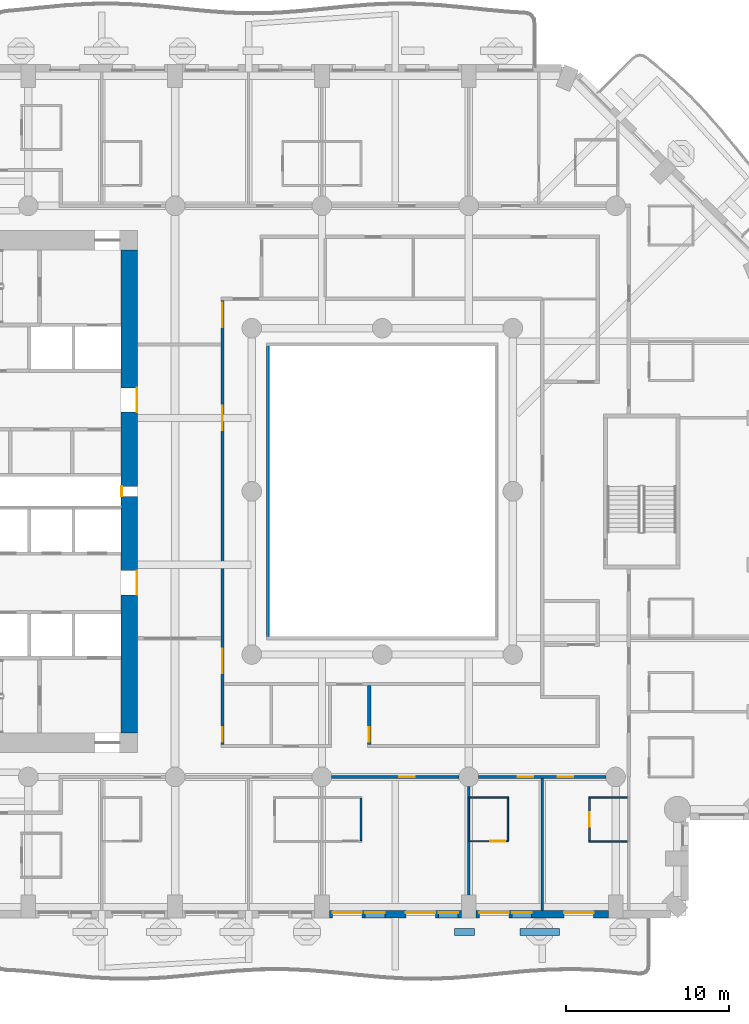
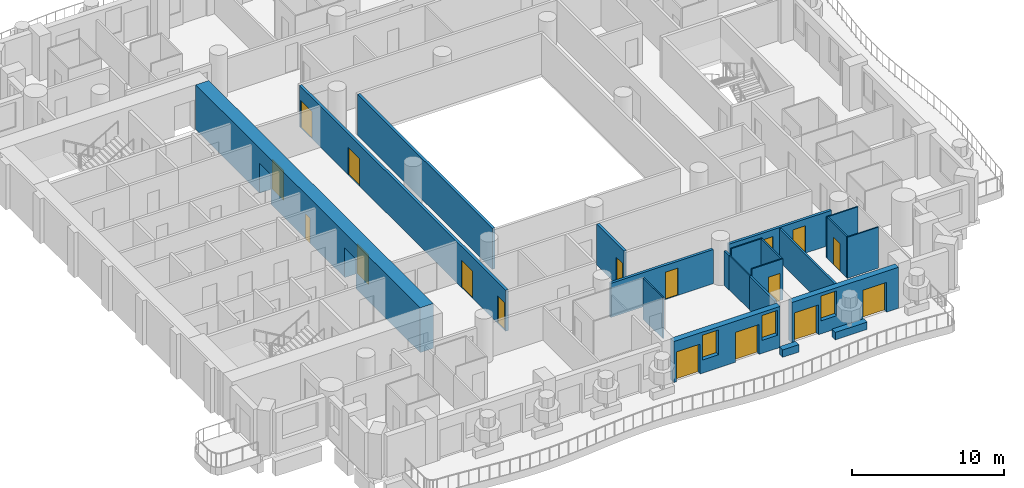
# One storey, part 5 of 20: 21 walls, 17 doors, 3 windows, 20 openings.
"""IFC4 building model written with IfcOpenShell, lengths in metres."""

from ifc_helpers import new_model, si_unit, direction, frame, frame_2d, origin, place, context, subcontext, project, spatial, rectangle, extrude, material, layer, layer_set, type_object, element, fill, save


model = new_model("IFC4")

# Units and contexts
model_context = context("Model", 3, precision=1e-05, world=origin(), true_north=direction((0.0, 1.0)))
body_context = subcontext(model_context, "Body", "Model", "MODEL_VIEW")
ifc_project = project(units=[si_unit("LENGTHUNIT", "METRE"), si_unit("AREAUNIT", "SQUARE_METRE"), si_unit("VOLUMEUNIT", "CUBIC_METRE"), si_unit("PLANEANGLEUNIT", "RADIAN"), si_unit("MASSUNIT", "GRAM", prefix="KILO")], contexts=[model_context])

# Site, building, storey
site_placement = place(None, origin())
site = spatial("IfcSite", under=ifc_project, at=site_placement, CompositionType="ELEMENT")
building_placement = place(site_placement, origin())
building = spatial("IfcBuilding", under=site, at=building_placement, Name="Cypress Arch Tower", CompositionType="ELEMENT")
storey_placement = place(building_placement, frame((0.0, 0.0, 87.89990234375)))
storey = spatial("IfcBuildingStorey", under=building, at=storey_placement, Name="L16", CompositionType="ELEMENT", Elevation=87.89990234375)

# Walls
ifc_material_1 = material(Name="Concrete C40/50, waterproofed", Category="concrete")
ifc_layer_1 = layer(ifc_material_1, 0.449951171875)
ifc_layer_set_1 = layer_set([ifc_layer_1], Name="Balcony planter wall PW450")
wall_type_1 = type_object("IfcWallType", Name="Balcony planter wall PW450", PredefinedType="SOLIDWALL", material=ifc_layer_set_1)
wall_1_placement = place(storey_placement, frame((5.419921875, -27.0, 0.0), z_axis=(0.0, 0.0, 1.0), x_axis=(1.0, 0.0, 0.0)))
element("IfcWall", 1, at=wall_1_placement, inside=storey, type_object=wall_type_1, Name="Balcony planter wall L16-A03.5", PredefinedType="SOLIDWALL", context=body_context, shape_type="SweptSolid", body=[
    extrude(rectangle(XDim=1.22998046875, YDim=0.449951171875, at=frame_2d((0.614990234375, 0.0))), origin(), (0.0, 0.0, 1.0), 0.60009765625),
])
wall_2_placement = place(storey_placement, frame((9.429931640625, -27.0, 0.0), z_axis=(0.0, 0.0, 1.0), x_axis=(1.0, 0.0, 0.0)))
element("IfcWall", 2, at=wall_2_placement, inside=storey, type_object=wall_type_1, Name="Balcony planter wall L16-A03.6", PredefinedType="SOLIDWALL", context=body_context, shape_type="SweptSolid", body=[
    extrude(rectangle(XDim=2.420166015625, YDim=0.449951171875, at=frame_2d((1.2099609375, 0.0))), origin(), (0.0, 0.0, 1.0), 0.60009765625),
])

# Wall, openings, doors, windows
ifc_material_2 = material(Name="Brick (red buff blend)", Category="masonry")
ifc_layer_2 = layer(ifc_material_2, 0.449951171875)
ifc_layer_set_2 = layer_set([ifc_layer_2], Name="Brick pier and spandrel wall BW450")
wall_type_2 = type_object("IfcWallType", Name="Brick pier and spandrel wall BW450", PredefinedType="SOLIDWALL", material=ifc_layer_set_2)
wall_3_placement = place(storey_placement, frame((-2.25, -25.925048828125, 0.0), z_axis=(0.0, 0.0, 1.0), x_axis=(1.0, 0.0, 0.0)))
wall_3 = element("IfcWall", 3, at=wall_3_placement, inside=storey, type_object=wall_type_2, Name="Brick wall L16 A03.3", PredefinedType="SOLIDWALL", context=body_context, shape_type="SweptSolid", body=[
    extrude(rectangle(XDim=8.10009765625, YDim=0.449951171875, at=frame_2d((4.050048828125, 0.0))), origin(), (0.0, 0.0, 1.0), 3.300048828125),
])
opening_1_placement = place(wall_3_placement, frame((0.199951171875, 0.0, 0.0)))
opening_1 = element("IfcOpeningElement", 4, at=opening_1_placement, cuts=wall_3, Name="Opening D-L16-A03.3.1", PredefinedType="OPENING", context=body_context, shape_type="SweptSolid", body=[
    extrude(rectangle(XDim=1.800048828125, YDim=2.39990234375, at=frame_2d((0.89990234375, 1.199951171875))), frame((0.0, 0.23486328125, 0.0), z_axis=(0.0, -1.0, 0.0), x_axis=(1.0, 0.0, 0.0)), (0.0, 0.0, 1.0), 0.469970703125),
])
opening_2_placement = place(wall_3_placement, frame((2.199951171875, 0.0, 1.050048828125)))
opening_2 = element("IfcOpeningElement", 5, at=opening_2_placement, cuts=wall_3, Name="Opening W120HD", PredefinedType="OPENING", context=body_context, shape_type="SweptSolid", body=[
    extrude(rectangle(XDim=1.199951171875, YDim=2.0, at=frame_2d((0.60009765625, 1.0))), frame((0.0, 0.23486328125, 0.0), z_axis=(0.0, -1.0, 0.0), x_axis=(1.0, 0.0, 0.0)), (0.0, 0.0, 1.0), 0.469970703125),
])
opening_3_placement = place(wall_3_placement, frame((4.699951171875, 0.0, 0.0)))
opening_3 = element("IfcOpeningElement", 6, at=opening_3_placement, cuts=wall_3, Name="Opening D-L16-A03.3.2", PredefinedType="OPENING", context=body_context, shape_type="SweptSolid", body=[
    extrude(rectangle(XDim=1.800048828125, YDim=2.39990234375, at=frame_2d((0.89990234375, 1.199951171875))), frame((0.0, 0.23486328125, 0.0), z_axis=(0.0, -1.0, 0.0), x_axis=(1.0, 0.0, 0.0)), (0.0, 0.0, 1.0), 0.469970703125),
])
opening_4_placement = place(wall_3_placement, frame((6.699951171875, 0.0, 1.050048828125)))
opening_4 = element("IfcOpeningElement", 7, at=opening_4_placement, cuts=wall_3, Name="Opening W120HD", PredefinedType="OPENING", context=body_context, shape_type="SweptSolid", body=[
    extrude(rectangle(XDim=1.199951171875, YDim=2.0, at=frame_2d((0.60009765625, 1.0))), frame((0.0, 0.23486328125, 0.0), z_axis=(0.0, -1.0, 0.0), x_axis=(1.0, 0.0, 0.0)), (0.0, 0.0, 1.0), 0.469970703125),
])
ifc_material_3 = material(Name="Anodised aluminium, bronze finish, laminated low-emissivity double glazing, large-missile impact rated", Category="aluminium")
door_type_1 = type_object("IfcDoorType", Name="Balcony sliding door 1800x2400", OperationType="SLIDING_TO_LEFT", PredefinedType="DOOR", material=ifc_material_3)
door_1_placement = place(opening_1_placement, origin())
door_1 = element("IfcDoor", 8, at=door_1_placement, inside=storey, type_object=door_type_1, Name="Balcony door L16 A03.3.1", OperationType="SLIDING_TO_LEFT", OverallHeight=2.39990234375, OverallWidth=1.800048828125, PredefinedType="DOOR", context=body_context, shape_type="SweptSolid", body=[
    extrude(rectangle(XDim=1.800048828125, YDim=2.39990234375, at=frame_2d((0.89990234375, 1.199951171875))), frame((0.0, 0.1298828125, 0.0), z_axis=(0.0, -1.0, 0.0), x_axis=(1.0, 0.0, 0.0)), (0.0, 0.0, 1.0), 0.050048828125),
])
fill(opening_1, door_1)
door_2_placement = place(opening_3_placement, origin())
door_2 = element("IfcDoor", 9, at=door_2_placement, inside=storey, type_object=door_type_1, Name="Balcony door L16 A03.3.2", OperationType="SLIDING_TO_LEFT", OverallHeight=2.39990234375, OverallWidth=1.800048828125, PredefinedType="DOOR", context=body_context, shape_type="SweptSolid", body=[
    extrude(rectangle(XDim=1.800048828125, YDim=2.39990234375, at=frame_2d((0.89990234375, 1.199951171875))), frame((0.0, 0.1298828125, 0.0), z_axis=(0.0, -1.0, 0.0), x_axis=(1.0, 0.0, 0.0)), (0.0, 0.0, 1.0), 0.050048828125),
])
fill(opening_3, door_2)
ifc_material_4 = material(Name="Anodised aluminium, bronze finish, laminated low-emissivity double glazing, large-missile impact rated", Category="aluminium")
window_type = type_object("IfcWindowType", Name="Window Hotel 1200x2000 debris-rated", PartitioningType="SINGLE_PANEL", PredefinedType="WINDOW", material=ifc_material_4)
window_1_placement = place(opening_2_placement, origin())
window_1 = element("IfcWindow", 10, at=window_1_placement, inside=storey, type_object=window_type, Name="Window L16 A03.3.1", OverallHeight=2.0, OverallWidth=1.199951171875, PartitioningType="SINGLE_PANEL", PredefinedType="WINDOW", context=body_context, shape_type="SweptSolid", body=[
    extrude(rectangle(XDim=1.199951171875, YDim=2.0, at=frame_2d((0.60009765625, 1.0))), frame((0.0, 0.135009765625, 0.0), z_axis=(0.0, -1.0, 0.0), x_axis=(1.0, 0.0, 0.0)), (0.0, 0.0, 1.0), 0.06005859375),
])
fill(opening_2, window_1)
window_2_placement = place(opening_4_placement, origin())
window_2 = element("IfcWindow", 11, at=window_2_placement, inside=storey, type_object=window_type, Name="Window L16 A03.3.2", OverallHeight=2.0, OverallWidth=1.199951171875, PartitioningType="SINGLE_PANEL", PredefinedType="WINDOW", context=body_context, shape_type="SweptSolid", body=[
    extrude(rectangle(XDim=1.199951171875, YDim=2.0, at=frame_2d((0.60009765625, 1.0))), frame((0.0, 0.135009765625, 0.0), z_axis=(0.0, -1.0, 0.0), x_axis=(1.0, 0.0, 0.0)), (0.0, 0.0, 1.0), 0.06005859375),
])
fill(opening_4, window_2)

# Wall, openings, doors, window
wall_4_placement = place(storey_placement, frame((6.75, -25.925048828125, 0.0), z_axis=(0.0, 0.0, 1.0), x_axis=(1.0, 0.0, 0.0)))
wall_4 = element("IfcWall", 12, at=wall_4_placement, inside=storey, type_object=wall_type_2, Name="Brick wall L16 A03.4", PredefinedType="SOLIDWALL", context=body_context, shape_type="SweptSolid", body=[
    extrude(rectangle(XDim=8.10009765625, YDim=0.449951171875, at=frame_2d((4.050048828125, 0.0))), origin(), (0.0, 0.0, 1.0), 3.300048828125),
])
opening_5_placement = place(wall_4_placement, frame((0.199951171875, 0.0, 0.0)))
opening_5 = element("IfcOpeningElement", 13, at=opening_5_placement, cuts=wall_4, Name="Opening D-L16-A03.4.1", PredefinedType="OPENING", context=body_context, shape_type="SweptSolid", body=[
    extrude(rectangle(XDim=1.800048828125, YDim=2.39990234375, at=frame_2d((0.89990234375, 1.199951171875))), frame((0.0, 0.23486328125, 0.0), z_axis=(0.0, -1.0, 0.0), x_axis=(1.0, 0.0, 0.0)), (0.0, 0.0, 1.0), 0.469970703125),
])
opening_6_placement = place(wall_4_placement, frame((2.199951171875, 0.0, 1.050048828125)))
opening_6 = element("IfcOpeningElement", 14, at=opening_6_placement, cuts=wall_4, Name="Opening W120HD", PredefinedType="OPENING", context=body_context, shape_type="SweptSolid", body=[
    extrude(rectangle(XDim=1.199951171875, YDim=2.0, at=frame_2d((0.60009765625, 1.0))), frame((0.0, 0.23486328125, 0.0), z_axis=(0.0, -1.0, 0.0), x_axis=(1.0, 0.0, 0.0)), (0.0, 0.0, 1.0), 0.469970703125),
])
opening_7_placement = place(wall_4_placement, frame((5.39990234375, 0.0, 0.0)))
opening_7 = element("IfcOpeningElement", 15, at=opening_7_placement, cuts=wall_4, Name="Opening D-L16-A03.4.2", PredefinedType="OPENING", context=body_context, shape_type="SweptSolid", body=[
    extrude(rectangle(XDim=1.800048828125, YDim=2.39990234375, at=frame_2d((0.89990234375, 1.199951171875))), frame((0.0, 0.23486328125, 0.0), z_axis=(0.0, -1.0, 0.0), x_axis=(1.0, 0.0, 0.0)), (0.0, 0.0, 1.0), 0.469970703125),
])
door_3_placement = place(opening_5_placement, origin())
door_3 = element("IfcDoor", 16, at=door_3_placement, inside=storey, type_object=door_type_1, Name="Balcony door L16 A03.4.1", OperationType="SLIDING_TO_LEFT", OverallHeight=2.39990234375, OverallWidth=1.800048828125, PredefinedType="DOOR", context=body_context, shape_type="SweptSolid", body=[
    extrude(rectangle(XDim=1.800048828125, YDim=2.39990234375, at=frame_2d((0.89990234375, 1.199951171875))), frame((0.0, 0.1298828125, 0.0), z_axis=(0.0, -1.0, 0.0), x_axis=(1.0, 0.0, 0.0)), (0.0, 0.0, 1.0), 0.050048828125),
])
fill(opening_5, door_3)
door_4_placement = place(opening_7_placement, origin())
door_4 = element("IfcDoor", 17, at=door_4_placement, inside=storey, type_object=door_type_1, Name="Balcony door L16 A03.4.2", OperationType="SLIDING_TO_LEFT", OverallHeight=2.39990234375, OverallWidth=1.800048828125, PredefinedType="DOOR", context=body_context, shape_type="SweptSolid", body=[
    extrude(rectangle(XDim=1.800048828125, YDim=2.39990234375, at=frame_2d((0.89990234375, 1.199951171875))), frame((0.0, 0.1298828125, 0.0), z_axis=(0.0, -1.0, 0.0), x_axis=(1.0, 0.0, 0.0)), (0.0, 0.0, 1.0), 0.050048828125),
])
fill(opening_7, door_4)
window_3_placement = place(opening_6_placement, origin())
window_3 = element("IfcWindow", 18, at=window_3_placement, inside=storey, type_object=window_type, Name="Window L16 A03.4.1", OverallHeight=2.0, OverallWidth=1.199951171875, PartitioningType="SINGLE_PANEL", PredefinedType="WINDOW", context=body_context, shape_type="SweptSolid", body=[
    extrude(rectangle(XDim=1.199951171875, YDim=2.0, at=frame_2d((0.60009765625, 1.0))), frame((0.0, 0.135009765625, 0.0), z_axis=(0.0, -1.0, 0.0), x_axis=(1.0, 0.0, 0.0)), (0.0, 0.0, 1.0), 0.06005859375),
])
fill(opening_6, window_3)

# Wall, openings, doors
ifc_material_5 = material(Name="Concrete C80/95", Category="concrete")
ifc_layer_3 = layer(ifc_material_5, 1.0)
ifc_layer_set_3 = layer_set([ifc_layer_3], Name="Core wall CW1000 C80/95")
wall_type_3 = type_object("IfcWallType", Name="Core wall CW1000 C80/95", PredefinedType="SHEAR", material=ifc_layer_set_3)
wall_5_placement = place(storey_placement, frame((-14.5, -14.800048828125, 0.0), z_axis=(0.0, 0.0, 1.0), x_axis=(0.0, 1.0, 0.0)))
wall_5 = element("IfcWall", 19, at=wall_5_placement, inside=storey, type_object=wall_type_3, Name="Core wall", PredefinedType="SHEAR", context=body_context, shape_type="SweptSolid", body=[
    extrude(rectangle(XDim=29.60009765625, YDim=1.0, at=frame_2d((14.800048828125, 0.0))), origin(), (0.0, 0.0, 1.0), 3.60009765625),
])
opening_8_placement = place(wall_5_placement, frame((8.449951171875, 0.0, 0.0)))
opening_8 = element("IfcOpeningElement", 20, at=opening_8_placement, cuts=wall_5, Name="Opening D07", PredefinedType="OPENING", context=body_context, shape_type="SweptSolid", body=[
    extrude(rectangle(XDim=1.5, YDim=2.39990234375, at=frame_2d((0.75, 1.199951171875))), frame((0.0, 0.510009765625, 0.0), z_axis=(0.0, -1.0, 0.0), x_axis=(1.0, 0.0, 0.0)), (0.0, 0.0, 1.0), 1.02001953125),
])
opening_9_placement = place(wall_5_placement, frame((19.64990234375, 0.0, 0.0)))
opening_9 = element("IfcOpeningElement", 21, at=opening_9_placement, cuts=wall_5, Name="Opening D07", PredefinedType="OPENING", context=body_context, shape_type="SweptSolid", body=[
    extrude(rectangle(XDim=1.5, YDim=2.39990234375, at=frame_2d((0.75, 1.199951171875))), frame((0.0, 0.510009765625, 0.0), z_axis=(0.0, -1.0, 0.0), x_axis=(1.0, 0.0, 0.0)), (0.0, 0.0, 1.0), 1.02001953125),
])
opening_10_placement = place(wall_5_placement, frame((14.5, 0.0, 0.0)))
opening_10 = element("IfcOpeningElement", 22, at=opening_10_placement, cuts=wall_5, Name="Opening D08", PredefinedType="OPENING", context=body_context, shape_type="SweptSolid", body=[
    extrude(rectangle(XDim=0.60009765625, YDim=2.0, at=frame_2d((0.300048828125, 1.0))), frame((0.0, 0.510009765625, 0.0), z_axis=(0.0, -1.0, 0.0), x_axis=(1.0, 0.0, 0.0)), (0.0, 0.0, 1.0), 1.02001953125),
])
ifc_material_6 = material(Name="Steel framed glazed door, fire resisting", Category="steel")
door_type_2 = type_object("IfcDoorType", Name="Lobby door D07 1500x2400", OperationType="DOUBLE_DOOR_SINGLE_SWING", PredefinedType="DOOR", material=ifc_material_6)
door_5_placement = place(opening_8_placement, origin())
door_5 = element("IfcDoor", 23, at=door_5_placement, inside=storey, type_object=door_type_2, Name="Lobby door", OperationType="DOUBLE_DOOR_SINGLE_SWING", OverallHeight=2.39990234375, OverallWidth=1.5, PredefinedType="DOOR", context=body_context, shape_type="SweptSolid", body=[
    extrude(rectangle(XDim=1.5, YDim=2.39990234375, at=frame_2d((0.75, 1.199951171875))), frame((0.0, -0.44482421875, 0.0), z_axis=(0.0, -1.0, 0.0), x_axis=(1.0, 0.0, 0.0)), (0.0, 0.0, 1.0), 0.050048828125),
])
fill(opening_8, door_5)
door_6_placement = place(opening_9_placement, origin())
door_6 = element("IfcDoor", 24, at=door_6_placement, inside=storey, type_object=door_type_2, Name="Lobby door", OperationType="DOUBLE_DOOR_SINGLE_SWING", OverallHeight=2.39990234375, OverallWidth=1.5, PredefinedType="DOOR", context=body_context, shape_type="SweptSolid", body=[
    extrude(rectangle(XDim=1.5, YDim=2.39990234375, at=frame_2d((0.75, 1.199951171875))), frame((0.0, -0.44482421875, 0.0), z_axis=(0.0, -1.0, 0.0), x_axis=(1.0, 0.0, 0.0)), (0.0, 0.0, 1.0), 0.050048828125),
])
fill(opening_9, door_6)
ifc_material_7 = material(Name="Steel access door, fire resisting", Category="steel")
door_type_3 = type_object("IfcDoorType", Name="Riser access door D08 600x2000", OperationType="SINGLE_SWING_LEFT", PredefinedType="DOOR", material=ifc_material_7)
door_7_placement = place(opening_10_placement, origin())
door_7 = element("IfcDoor", 25, at=door_7_placement, inside=storey, type_object=door_type_3, Name="Riser access door", OperationType="SINGLE_SWING_RIGHT", OverallHeight=2.0, OverallWidth=0.60009765625, PredefinedType="DOOR", context=body_context, shape_type="SweptSolid", body=[
    extrude(rectangle(XDim=0.60009765625, YDim=2.0, at=frame_2d((0.300048828125, 1.0))), frame((0.0, 0.4951171875, 0.0), z_axis=(0.0, -1.0, 0.0), x_axis=(1.0, 0.0, 0.0)), (0.0, 0.0, 1.0), 0.050048828125),
])
fill(opening_10, door_7)

# Wall, opening, door
ifc_material_8 = material(Name="Concrete blockwork, plastered, rated", Category="masonry")
ifc_layer_4 = layer(ifc_material_8, 0.199951171875)
ifc_layer_set_4 = layer_set([ifc_layer_4], Name="Corridor wall FW200")
wall_type_4 = type_object("IfcWallType", Name="Corridor wall FW200", PredefinedType="PARTITIONING", material=ifc_layer_set_4)
wall_6_placement = place(storey_placement, frame((-2.10009765625, -17.5, 0.0), z_axis=(0.0, 0.0, 1.0), x_axis=(1.0, 0.0, 0.0)))
wall_6 = element("IfcWall", 26, at=wall_6_placement, inside=storey, type_object=wall_type_4, Name="Corridor wall", PredefinedType="PARTITIONING", context=body_context, shape_type="SweptSolid", body=[
    extrude(rectangle(XDim=7.800048828125, YDim=0.199951171875, at=frame_2d((3.89990234375, 0.0))), origin(), (0.0, 0.0, 1.0), 2.75),
])
opening_11_placement = place(wall_6_placement, frame((4.14990234375, 0.0, 0.0)))
opening_11 = element("IfcOpeningElement", 27, at=opening_11_placement, cuts=wall_6, Name="Opening D02", PredefinedType="OPENING", context=body_context, shape_type="SweptSolid", body=[
    extrude(rectangle(XDim=0.949951171875, YDim=2.199951171875, at=frame_2d((0.47509765625, 1.10009765625))), frame((0.0, 0.10986328125, 0.0), z_axis=(0.0, -1.0, 0.0), x_axis=(1.0, 0.0, 0.0)), (0.0, 0.0, 1.0), 0.219970703125),
])
ifc_material_9 = material(Name="Timber flush door, fire resisting", Category="wood")
door_type_4 = type_object("IfcDoorType", Name="Room door D02 950x2200", OperationType="SINGLE_SWING_LEFT", PredefinedType="DOOR", material=ifc_material_9)
door_8_placement = place(opening_11_placement, origin())
door_8 = element("IfcDoor", 28, at=door_8_placement, inside=storey, type_object=door_type_4, Name="Room door", OperationType="SINGLE_SWING_LEFT", OverallHeight=2.199951171875, OverallWidth=0.949951171875, PredefinedType="DOOR", context=body_context, shape_type="SweptSolid", body=[
    extrude(rectangle(XDim=0.949951171875, YDim=2.199951171875, at=frame_2d((0.47509765625, 1.10009765625))), frame((0.0, 0.02490234375, 0.0), z_axis=(0.0, -1.0, 0.0), x_axis=(1.0, 0.0, 0.0)), (0.0, 0.0, 1.0), 0.050048828125),
])
fill(opening_11, door_8)

# Wall, openings, doors
wall_7_placement = place(storey_placement, frame((6.89990234375, -17.5, 0.0), z_axis=(0.0, 0.0, 1.0), x_axis=(1.0, 0.0, 0.0)))
wall_7 = element("IfcWall", 29, at=wall_7_placement, inside=storey, type_object=wall_type_4, Name="Corridor wall", PredefinedType="PARTITIONING", context=body_context, shape_type="SweptSolid", body=[
    extrude(rectangle(XDim=7.800048828125, YDim=0.199951171875, at=frame_2d((3.89990234375, 0.0))), origin(), (0.0, 0.0, 1.0), 2.75),
])
opening_12_placement = place(wall_7_placement, frame((2.39990234375, 0.0, 0.0)))
opening_12 = element("IfcOpeningElement", 30, at=opening_12_placement, cuts=wall_7, Name="Opening D02", PredefinedType="OPENING", context=body_context, shape_type="SweptSolid", body=[
    extrude(rectangle(XDim=0.949951171875, YDim=2.199951171875, at=frame_2d((0.47509765625, 1.10009765625))), frame((0.0, 0.10986328125, 0.0), z_axis=(0.0, -1.0, 0.0), x_axis=(1.0, 0.0, 0.0)), (0.0, 0.0, 1.0), 0.219970703125),
])
opening_13_placement = place(wall_7_placement, frame((4.85009765625, 0.0, 0.0)))
opening_13 = element("IfcOpeningElement", 31, at=opening_13_placement, cuts=wall_7, Name="Opening D02", PredefinedType="OPENING", context=body_context, shape_type="SweptSolid", body=[
    extrude(rectangle(XDim=0.949951171875, YDim=2.199951171875, at=frame_2d((0.47509765625, 1.10009765625))), frame((0.0, 0.10986328125, 0.0), z_axis=(0.0, -1.0, 0.0), x_axis=(1.0, 0.0, 0.0)), (0.0, 0.0, 1.0), 0.219970703125),
])
door_9_placement = place(opening_12_placement, origin())
door_9 = element("IfcDoor", 32, at=door_9_placement, inside=storey, type_object=door_type_4, Name="Room door", OperationType="SINGLE_SWING_LEFT", OverallHeight=2.199951171875, OverallWidth=0.949951171875, PredefinedType="DOOR", context=body_context, shape_type="SweptSolid", body=[
    extrude(rectangle(XDim=0.949951171875, YDim=2.199951171875, at=frame_2d((0.47509765625, 1.10009765625))), frame((0.0, 0.02490234375, 0.0), z_axis=(0.0, -1.0, 0.0), x_axis=(1.0, 0.0, 0.0)), (0.0, 0.0, 1.0), 0.050048828125),
])
fill(opening_12, door_9)
door_10_placement = place(opening_13_placement, origin())
door_10 = element("IfcDoor", 33, at=door_10_placement, inside=storey, type_object=door_type_4, Name="Room door", OperationType="SINGLE_SWING_RIGHT", OverallHeight=2.199951171875, OverallWidth=0.949951171875, PredefinedType="DOOR", context=body_context, shape_type="SweptSolid", body=[
    extrude(rectangle(XDim=0.949951171875, YDim=2.199951171875, at=frame_2d((0.47509765625, 1.10009765625))), frame((0.0, 0.02490234375, 0.0), z_axis=(0.0, -1.0, 0.0), x_axis=(1.0, 0.0, 0.0)), (0.0, 0.0, 1.0), 0.050048828125),
])
fill(opening_13, door_10)

wall_8_placement = place(storey_placement, frame((-8.800048828125, -15.5, 0.0), z_axis=(0.0, 0.0, 1.0), x_axis=(0.0, 1.0, 0.0)))
wall_8 = element("IfcWall", 34, at=wall_8_placement, inside=storey, type_object=wall_type_4, Name="Corridor wall", PredefinedType="PARTITIONING", context=body_context, shape_type="SweptSolid", body=[
    extrude(rectangle(XDim=27.199951171875, YDim=0.199951171875, at=frame_2d((13.60009765625, 0.0))), origin(), (0.0, 0.0, 1.0), 3.300048828125),
])
opening_14_placement = place(wall_8_placement, frame((19.25, 0.0, 0.0)))
opening_14 = element("IfcOpeningElement", 35, at=opening_14_placement, cuts=wall_8, Name="Opening D04", PredefinedType="OPENING", context=body_context, shape_type="SweptSolid", body=[
    extrude(rectangle(XDim=1.5, YDim=2.199951171875, at=frame_2d((0.75, 1.10009765625))), frame((0.0, 0.10986328125, 0.0), z_axis=(0.0, -1.0, 0.0), x_axis=(1.0, 0.0, 0.0)), (0.0, 0.0, 1.0), 0.219970703125),
])
opening_15_placement = place(wall_8_placement, frame((4.35009765625, 0.0, 0.0)))
opening_15 = element("IfcOpeningElement", 36, at=opening_15_placement, cuts=wall_8, Name="Opening D04", PredefinedType="OPENING", context=body_context, shape_type="SweptSolid", body=[
    extrude(rectangle(XDim=1.5, YDim=2.199951171875, at=frame_2d((0.75, 1.10009765625))), frame((0.0, 0.10986328125, 0.0), z_axis=(0.0, -1.0, 0.0), x_axis=(1.0, 0.0, 0.0)), (0.0, 0.0, 1.0), 0.219970703125),
])
opening_16_placement = place(wall_8_placement, frame((25.550048828125, 0.0, 0.0)))
opening_16 = element("IfcOpeningElement", 37, at=opening_16_placement, cuts=wall_8, Name="Opening D04", PredefinedType="OPENING", context=body_context, shape_type="SweptSolid", body=[
    extrude(rectangle(XDim=1.5, YDim=2.199951171875, at=frame_2d((0.75, 1.10009765625))), frame((0.0, 0.10986328125, 0.0), z_axis=(0.0, -1.0, 0.0), x_axis=(1.0, 0.0, 0.0)), (0.0, 0.0, 1.0), 0.219970703125),
])
opening_17_placement = place(wall_8_placement, frame((0.14990234375, 0.0, 0.0)))
opening_17 = element("IfcOpeningElement", 38, at=opening_17_placement, cuts=wall_8, Name="Opening D05", PredefinedType="OPENING", context=body_context, shape_type="SweptSolid", body=[
    extrude(rectangle(XDim=0.89990234375, YDim=2.199951171875, at=frame_2d((0.449951171875, 1.10009765625))), frame((0.0, 0.10986328125, 0.0), z_axis=(0.0, -1.0, 0.0), x_axis=(1.0, 0.0, 0.0)), (0.0, 0.0, 1.0), 0.219970703125),
])
ifc_material_10 = material(Name="Timber double door", Category="wood")
door_type_5 = type_object("IfcDoorType", Name="Double door D04 1500x2200", OperationType="DOUBLE_DOOR_SINGLE_SWING", PredefinedType="DOOR", material=ifc_material_10)
door_11_placement = place(opening_14_placement, origin())
door_11 = element("IfcDoor", 39, at=door_11_placement, inside=storey, type_object=door_type_5, Name="Double door", OperationType="DOUBLE_DOOR_SINGLE_SWING", OverallHeight=2.199951171875, OverallWidth=1.5, PredefinedType="DOOR", context=body_context, shape_type="SweptSolid", body=[
    extrude(rectangle(XDim=1.5, YDim=2.199951171875, at=frame_2d((0.75, 1.10009765625))), frame((0.0, 0.02490234375, 0.0), z_axis=(0.0, -1.0, 0.0), x_axis=(1.0, 0.0, 0.0)), (0.0, 0.0, 1.0), 0.050048828125),
])
fill(opening_14, door_11)
door_12_placement = place(opening_15_placement, origin())
door_12 = element("IfcDoor", 40, at=door_12_placement, inside=storey, type_object=door_type_5, Name="Double door", OperationType="DOUBLE_DOOR_SINGLE_SWING", OverallHeight=2.199951171875, OverallWidth=1.5, PredefinedType="DOOR", context=body_context, shape_type="SweptSolid", body=[
    extrude(rectangle(XDim=1.5, YDim=2.199951171875, at=frame_2d((0.75, 1.10009765625))), frame((0.0, 0.02490234375, 0.0), z_axis=(0.0, -1.0, 0.0), x_axis=(1.0, 0.0, 0.0)), (0.0, 0.0, 1.0), 0.050048828125),
])
fill(opening_15, door_12)
door_13_placement = place(opening_16_placement, origin())
door_13 = element("IfcDoor", 41, at=door_13_placement, inside=storey, type_object=door_type_5, Name="Double door", OperationType="DOUBLE_DOOR_SINGLE_SWING", OverallHeight=2.199951171875, OverallWidth=1.5, PredefinedType="DOOR", context=body_context, shape_type="SweptSolid", body=[
    extrude(rectangle(XDim=1.5, YDim=2.199951171875, at=frame_2d((0.75, 1.10009765625))), frame((0.0, 0.02490234375, 0.0), z_axis=(0.0, -1.0, 0.0), x_axis=(1.0, 0.0, 0.0)), (0.0, 0.0, 1.0), 0.050048828125),
])
fill(opening_16, door_13)
ifc_material_11 = material(Name="Timber flush door", Category="wood")
door_type_6 = type_object("IfcDoorType", Name="Service door D05 900x2200", OperationType="SINGLE_SWING_LEFT", PredefinedType="DOOR", material=ifc_material_11)
door_14_placement = place(opening_17_placement, origin())
door_14 = element("IfcDoor", 42, at=door_14_placement, inside=storey, type_object=door_type_6, Name="Service door", OperationType="SINGLE_SWING_RIGHT", OverallHeight=2.199951171875, OverallWidth=0.89990234375, PredefinedType="DOOR", context=body_context, shape_type="SweptSolid", body=[
    extrude(rectangle(XDim=0.89990234375, YDim=2.199951171875, at=frame_2d((0.449951171875, 1.10009765625))), frame((0.0, 0.02490234375, 0.0), z_axis=(0.0, -1.0, 0.0), x_axis=(1.0, 0.0, 0.0)), (0.0, 0.0, 1.0), 0.050048828125),
])
fill(opening_17, door_14)

# Wall
wall_9_placement = place(storey_placement, frame((-6.0, -8.89990234375, 0.0), z_axis=(0.0, 0.0, 1.0), x_axis=(0.0, 1.0, 0.0)))
element("IfcWall", 43, at=wall_9_placement, inside=storey, type_object=wall_type_4, Name="Corridor wall", PredefinedType="PARTITIONING", context=body_context, shape_type="SweptSolid", body=[
    extrude(rectangle(XDim=17.7998046875, YDim=0.199951171875, at=frame_2d((8.89990234375, 0.0))), origin(), (0.0, 0.0, 1.0), 3.300048828125),
])

# Wall, opening, door
wall_10_placement = place(storey_placement, frame((0.199951171875, -15.5, 0.0), z_axis=(0.0, 0.0, 1.0), x_axis=(0.0, 1.0, 0.0)))
wall_10 = element("IfcWall", 44, at=wall_10_placement, inside=storey, type_object=wall_type_4, Name="Corridor wall", PredefinedType="PARTITIONING", context=body_context, shape_type="SweptSolid", body=[
    extrude(rectangle(XDim=3.60009765625, YDim=0.199951171875, at=frame_2d((1.800048828125, 0.0))), origin(), (0.0, 0.0, 1.0), 3.300048828125),
])
opening_18_placement = place(wall_10_placement, frame((0.14990234375, 0.0, 0.0)))
opening_18 = element("IfcOpeningElement", 45, at=opening_18_placement, cuts=wall_10, Name="Opening D03", PredefinedType="OPENING", context=body_context, shape_type="SweptSolid", body=[
    extrude(rectangle(XDim=0.89990234375, YDim=2.199951171875, at=frame_2d((0.449951171875, 1.10009765625))), frame((0.0, 0.10986328125, 0.0), z_axis=(0.0, -1.0, 0.0), x_axis=(1.0, 0.0, 0.0)), (0.0, 0.0, 1.0), 0.219970703125),
])
ifc_material_12 = material(Name="Timber flush door, moisture resistant", Category="wood")
door_type_7 = type_object("IfcDoorType", Name="Bathroom door D03 900x2200", OperationType="SINGLE_SWING_LEFT", PredefinedType="DOOR", material=ifc_material_12)
door_15_placement = place(opening_18_placement, origin())
door_15 = element("IfcDoor", 46, at=door_15_placement, inside=storey, type_object=door_type_7, Name="Bathroom door", OperationType="SINGLE_SWING_RIGHT", OverallHeight=2.199951171875, OverallWidth=0.89990234375, PredefinedType="DOOR", context=body_context, shape_type="SweptSolid", body=[
    extrude(rectangle(XDim=0.89990234375, YDim=2.199951171875, at=frame_2d((0.449951171875, 1.10009765625))), frame((0.0, 0.02490234375, 0.0), z_axis=(0.0, -1.0, 0.0), x_axis=(1.0, 0.0, 0.0)), (0.0, 0.0, 1.0), 0.050048828125),
])
fill(opening_18, door_15)

# Walls
ifc_material_13 = material(Name="Blockwork, plastered both sides", Category="masonry")
ifc_layer_5 = layer(ifc_material_13, 0.14990234375)
ifc_layer_set_5 = layer_set([ifc_layer_5], Name="Partition PW150")
wall_type_5 = type_object("IfcWallType", Name="Partition PW150", PredefinedType="PARTITIONING", material=ifc_layer_set_5)
wall_11_placement = place(storey_placement, frame((6.300048828125, -24.75, 0.0), z_axis=(0.0, 0.0, 1.0), x_axis=(0.0, 1.0, 0.0)))
element("IfcWall", 47, at=wall_11_placement, inside=storey, type_object=wall_type_5, Name="Partition", PredefinedType="PARTITIONING", context=body_context, shape_type="SweptSolid", body=[
    extrude(rectangle(XDim=3.320068359375, YDim=0.14990234375, at=frame_2d((1.66015625, 0.0))), origin(), (0.0, 0.0, 1.0), 2.75),
])
wall_12_placement = place(storey_placement, frame((6.300048828125, -18.72998046875, 0.0), z_axis=(0.0, 0.0, 1.0), x_axis=(0.0, 1.0, 0.0)))
element("IfcWall", 48, at=wall_12_placement, inside=storey, type_object=wall_type_5, Name="Partition", PredefinedType="PARTITIONING", context=body_context, shape_type="SweptSolid", body=[
    extrude(rectangle(XDim=0.6298828125, YDim=0.14990234375, at=frame_2d((0.31494140625, 0.0))), origin(), (0.0, 0.0, 1.0), 2.75),
])
wall_13_placement = place(storey_placement, frame((10.800048828125, -25.699951171875, 0.0), z_axis=(0.0, 0.0, 1.0), x_axis=(0.0, 1.0, 0.0)))
element("IfcWall", 49, at=wall_13_placement, inside=storey, type_object=wall_type_5, Name="Partition", PredefinedType="PARTITIONING", context=body_context, shape_type="SweptSolid", body=[
    extrude(rectangle(XDim=8.099853515625, YDim=0.14990234375, at=frame_2d((4.0498046875, 0.0))), origin(), (0.0, 0.0, 1.0), 2.650146484375),
])
ifc_material_14 = material(Name="Moisture resistant board on steel studs, tiled", Category="steel")
ifc_layer_6 = layer(ifc_material_14, 0.10009765625)
ifc_layer_set_6 = layer_set([ifc_layer_6], Name="Wet wall PW100")
wall_type_6 = type_object("IfcWallType", Name="Wet wall PW100", PredefinedType="PARTITIONING", material=ifc_layer_set_6)
wall_14_placement = place(storey_placement, frame((-0.303955078125, -21.39990234375, 0.0), z_axis=(0.0, 0.0, 1.0), x_axis=(0.0, 1.0, 0.0)))
element("IfcWall", 50, at=wall_14_placement, inside=storey, type_object=wall_type_6, Name="Wet wall", PredefinedType="PARTITIONING", context=body_context, shape_type="SweptSolid", body=[
    extrude(rectangle(XDim=2.599853515625, YDim=0.10009765625, at=frame_2d((1.2998046875, 0.0))), origin(), (0.0, 0.0, 1.0), 3.300048828125),
])
wall_15_placement = place(storey_placement, frame((6.300048828125, -21.429931640625, 0.0), z_axis=(0.0, 0.0, 1.0), x_axis=(0.0, 1.0, 0.0)))
element("IfcWall", 51, at=wall_15_placement, inside=storey, type_object=wall_type_6, Name="Wet wall", PredefinedType="PARTITIONING", context=body_context, shape_type="SweptSolid", body=[
    extrude(rectangle(XDim=2.699951171875, YDim=0.10009765625, at=frame_2d((1.35009765625, 0.0))), origin(), (0.0, 0.0, 1.0), 2.75),
])

# Wall, opening, door
wall_16_placement = place(storey_placement, frame((6.375, -21.449951171875, 0.0), z_axis=(0.0, 0.0, 1.0), x_axis=(1.0, 0.0, 0.0)))
wall_16 = element("IfcWall", 52, at=wall_16_placement, inside=storey, type_object=wall_type_6, Name="Wet wall", PredefinedType="PARTITIONING", context=body_context, shape_type="SweptSolid", body=[
    extrude(rectangle(XDim=2.37109375, YDim=0.10009765625, at=frame_2d((1.185546875, 0.0))), origin(), (0.0, 0.0, 1.0), 3.300048828125),
])
opening_19_placement = place(wall_16_placement, frame((1.25, 0.0, 0.0)))
opening_19 = element("IfcOpeningElement", 53, at=opening_19_placement, cuts=wall_16, Name="Opening D03", PredefinedType="OPENING", context=body_context, shape_type="SweptSolid", body=[
    extrude(rectangle(XDim=0.89990234375, YDim=2.199951171875, at=frame_2d((0.449951171875, 1.10009765625))), frame((0.0, 0.06005859375, 0.0), z_axis=(0.0, -1.0, 0.0), x_axis=(1.0, 0.0, 0.0)), (0.0, 0.0, 1.0), 0.1201171875),
])
door_16_placement = place(opening_19_placement, origin())
door_16 = element("IfcDoor", 54, at=door_16_placement, inside=storey, type_object=door_type_7, Name="Bathroom door", OperationType="SINGLE_SWING_RIGHT", OverallHeight=2.199951171875, OverallWidth=0.89990234375, PredefinedType="DOOR", context=body_context, shape_type="SweptSolid", body=[
    extrude(rectangle(XDim=0.89990234375, YDim=2.199951171875, at=frame_2d((0.449951171875, 1.10009765625))), frame((0.0, 0.02490234375, 0.0), z_axis=(0.0, -1.0, 0.0), x_axis=(1.0, 0.0, 0.0)), (0.0, 0.0, 1.0), 0.050048828125),
])
fill(opening_19, door_16)

# Walls
wall_17_placement = place(storey_placement, frame((6.375, -18.75, 0.0), z_axis=(0.0, 0.0, 1.0), x_axis=(1.0, 0.0, 0.0)))
element("IfcWall", 55, at=wall_17_placement, inside=storey, type_object=wall_type_6, Name="Wet wall", PredefinedType="PARTITIONING", context=body_context, shape_type="SweptSolid", body=[
    extrude(rectangle(XDim=2.37109375, YDim=0.10009765625, at=frame_2d((1.185546875, 0.0))), origin(), (0.0, 0.0, 1.0), 3.300048828125),
])
wall_18_placement = place(storey_placement, frame((8.696044921875, -21.39990234375, 0.0), z_axis=(0.0, 0.0, 1.0), x_axis=(0.0, 1.0, 0.0)))
element("IfcWall", 56, at=wall_18_placement, inside=storey, type_object=wall_type_6, Name="Wet wall", PredefinedType="PARTITIONING", context=body_context, shape_type="SweptSolid", body=[
    extrude(rectangle(XDim=2.599853515625, YDim=0.10009765625, at=frame_2d((1.2998046875, 0.0))), origin(), (0.0, 0.0, 1.0), 3.300048828125),
])

# Wall, opening, door
wall_19_placement = place(storey_placement, frame((13.699951171875, -21.39990234375, 0.0), z_axis=(0.0, 0.0, 1.0), x_axis=(0.0, 1.0, 0.0)))
wall_19 = element("IfcWall", 57, at=wall_19_placement, inside=storey, type_object=wall_type_6, Name="Wet wall", PredefinedType="PARTITIONING", context=body_context, shape_type="SweptSolid", body=[
    extrude(rectangle(XDim=2.599853515625, YDim=0.10009765625, at=frame_2d((1.2998046875, 0.0))), origin(), (0.0, 0.0, 1.0), 3.300048828125),
])
opening_20_placement = place(wall_19_placement, frame((0.85009765625, 0.0, 0.0)))
opening_20 = element("IfcOpeningElement", 58, at=opening_20_placement, cuts=wall_19, Name="Opening D03", PredefinedType="OPENING", context=body_context, shape_type="SweptSolid", body=[
    extrude(rectangle(XDim=0.89990234375, YDim=2.199951171875, at=frame_2d((0.449951171875, 1.10009765625))), frame((0.0, 0.06005859375, 0.0), z_axis=(0.0, -1.0, 0.0), x_axis=(1.0, 0.0, 0.0)), (0.0, 0.0, 1.0), 0.1201171875),
])
door_17_placement = place(opening_20_placement, origin())
door_17 = element("IfcDoor", 59, at=door_17_placement, inside=storey, type_object=door_type_7, Name="Bathroom door", OperationType="SINGLE_SWING_LEFT", OverallHeight=2.199951171875, OverallWidth=0.89990234375, PredefinedType="DOOR", context=body_context, shape_type="SweptSolid", body=[
    extrude(rectangle(XDim=0.89990234375, YDim=2.199951171875, at=frame_2d((0.449951171875, 1.10009765625))), frame((0.0, 0.02490234375, 0.0), z_axis=(0.0, -1.0, 0.0), x_axis=(1.0, 0.0, 0.0)), (0.0, 0.0, 1.0), 0.050048828125),
])
fill(opening_20, door_17)

# Walls
for number, where, z_axis, x_axis, name in (
    (60, (13.64990234375, -21.449951171875, 0.0), (0.0, 0.0, 1.0), (1.0, 0.0, 0.0), "Wet wall"),
    (61, (13.64990234375, -18.75, 0.0), (0.0, 0.0, 1.0), (1.0, 0.0, 0.0), "Wet wall"),
):
    element("IfcWall", number, at=place(storey_placement, frame(where, z_axis=z_axis, x_axis=x_axis)), inside=storey, type_object=wall_type_6, Name=name, PredefinedType="PARTITIONING", context=body_context, shape_type="SweptSolid", body=[
        extrude(rectangle(XDim=2.375, YDim=0.10009765625, at=frame_2d((1.1875, 0.0))), origin(), (0.0, 0.0, 1.0), 3.300048828125),
    ])

save(model, "model.ifc")
